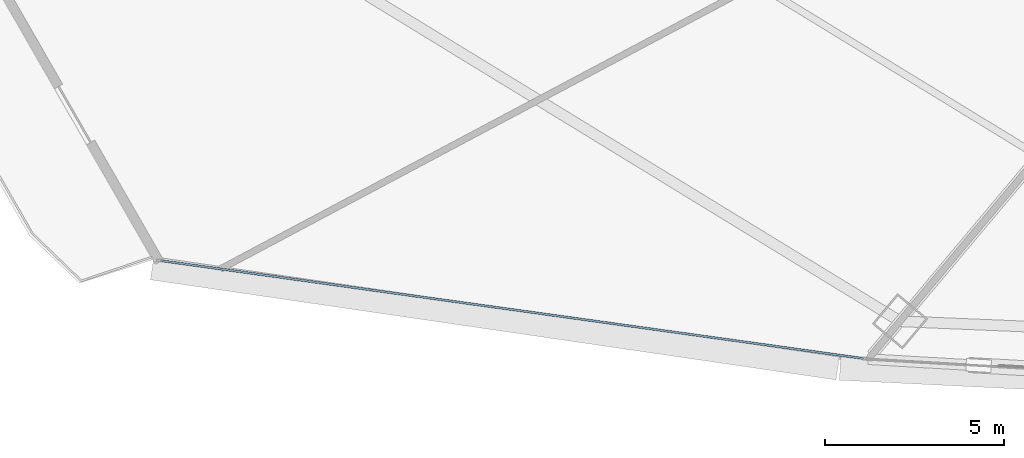
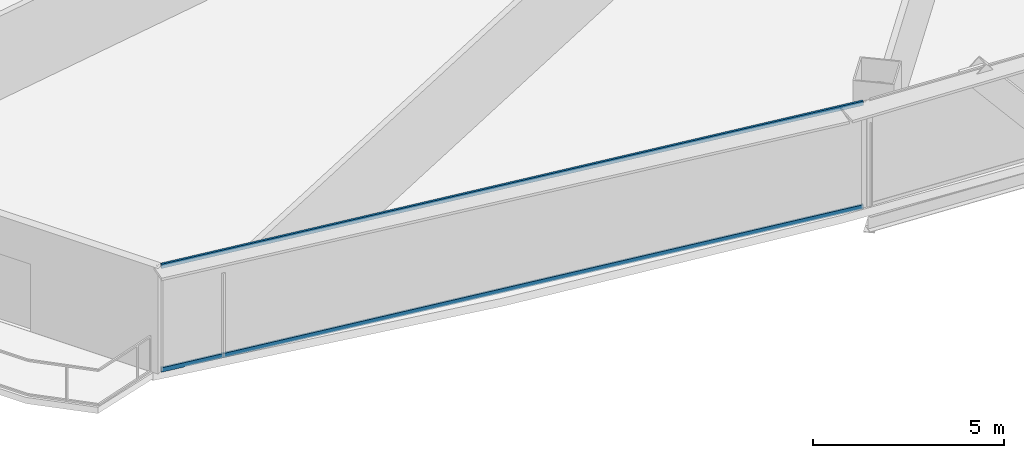
# One storey, part 3 of 37: 2 members, 1 element without a shape of its own.
"""IFC4 building model written with IfcOpenShell, lengths in metres."""

from ifc_helpers import new_model, si_unit, direction, frame, origin, origin_2d, place, context, subcontext, project, spatial, hollow_rectangle, extrude, source, transform, mapped, material, layer, layer_set, material_profile, profile_set, type_object, element, aggregate, save


model = new_model("IFC4")

# Units and contexts
model_context = context("Model", 3, precision=1e-05, world=origin(), true_north=direction((0.0, 1.0)))
body_context = subcontext(model_context, "Body", "Model", "MODEL_VIEW")
ifc_project = project(units=[si_unit("LENGTHUNIT", "METRE"), si_unit("AREAUNIT", "SQUARE_METRE"), si_unit("VOLUMEUNIT", "CUBIC_METRE"), si_unit("PLANEANGLEUNIT", "RADIAN"), si_unit("MASSUNIT", "GRAM", prefix="KILO"), si_unit("THERMODYNAMICTEMPERATUREUNIT", "KELVIN"), si_unit("POWERUNIT", "WATT")], contexts=[model_context])

# Site, building, storey
site_placement = place(None, origin())
site = spatial("IfcSite", under=ifc_project, at=site_placement, CompositionType="ELEMENT")
building_placement = place(site_placement, origin())
building = spatial("IfcBuilding", under=site, at=building_placement, Name="Yunzhuo Pagoda Commons", CompositionType="ELEMENT")
storey_placement = place(building_placement, frame((0.0, 0.0, 55.81005859375)))
storey = spatial("IfcBuildingStorey", under=building, at=storey_placement, Name="L14", CompositionType="ELEMENT", Elevation=55.81005859375)

# Curtain wall, members
ifc_material = material(Name="Anodized aluminium 6063-T6", Category="aluminium")
ifc_layer = layer(ifc_material, 0.1650390625)
ifc_layer_set = layer_set([ifc_layer], Name="Anodized aluminium 6063-T6")
curtain_wall_type = type_object("IfcCurtainWallType", Name="CW-LOW Low-Zone Ribbon Curtain Wall", PredefinedType="NOTDEFINED", material=ifc_layer_set)
curtain_wall_placement = place(storey_placement, origin())
curtain_wall = element("IfcCurtainWall", 1, at=curtain_wall_placement, inside=storey, type_object=curtain_wall_type, Name="L14 curtain wall CW-L14-F1B1", PredefinedType="NOTDEFINED")
ifc_material_profile = material_profile(ifc_material, hollow_rectangle(XDim=0.06005859375, YDim=0.139892578125, WallThickness=0.00341796875, at=origin_2d()), Name="Anodized aluminium 6063-T6")
ifc_profile_set = profile_set([ifc_material_profile], Name="Anodized aluminium 6063-T6")
member_type = type_object("IfcMemberType", Name="CW-LOW-T Transom RHS 140x60x3.5", PredefinedType="USERDEFINED", material=ifc_profile_set)
shared_shape = source(origin(), body_context, "Body", "SweptSolid", [
    extrude(hollow_rectangle(XDim=0.06005859375, YDim=0.139892578125, WallThickness=0.00341796875, at=origin_2d()), origin(), (0.0, 0.0, 1.0), 19.809326171875),
])
member_1_placement = place(storey_placement, frame((9.853515625, 14.53759765625, 0.030029296875), z_axis=(0.990444632664, -0.13791094818, 0.0), x_axis=(0.13791094818, 0.990444632664, 0.0)))
member_1 = element("IfcMember", 2, at=member_1_placement, type_object=member_type, Name="CW transom 1.1", ObjectType="TRANSOM", PredefinedType="USERDEFINED", context=body_context, shape_type="MappedRepresentation", body=[
    mapped(shared_shape, transform((0.0, 0.0, 0.0), scale=1.0)),
])
member_2_placement = place(storey_placement, frame((9.853515625, 14.53759765625, 3.33984375), z_axis=(0.990444632664, -0.13791094818, 0.0), x_axis=(0.13791094818, 0.990444632664, 0.0)))
member_2 = element("IfcMember", 3, at=member_2_placement, type_object=member_type, Name="CW transom 1.2", ObjectType="TRANSOM", PredefinedType="USERDEFINED", context=body_context, shape_type="MappedRepresentation", body=[
    mapped(shared_shape, transform((0.0, 0.0, 0.0), scale=1.0)),
])
aggregate(curtain_wall, [member_1, member_2])

save(model, "model.ifc")
